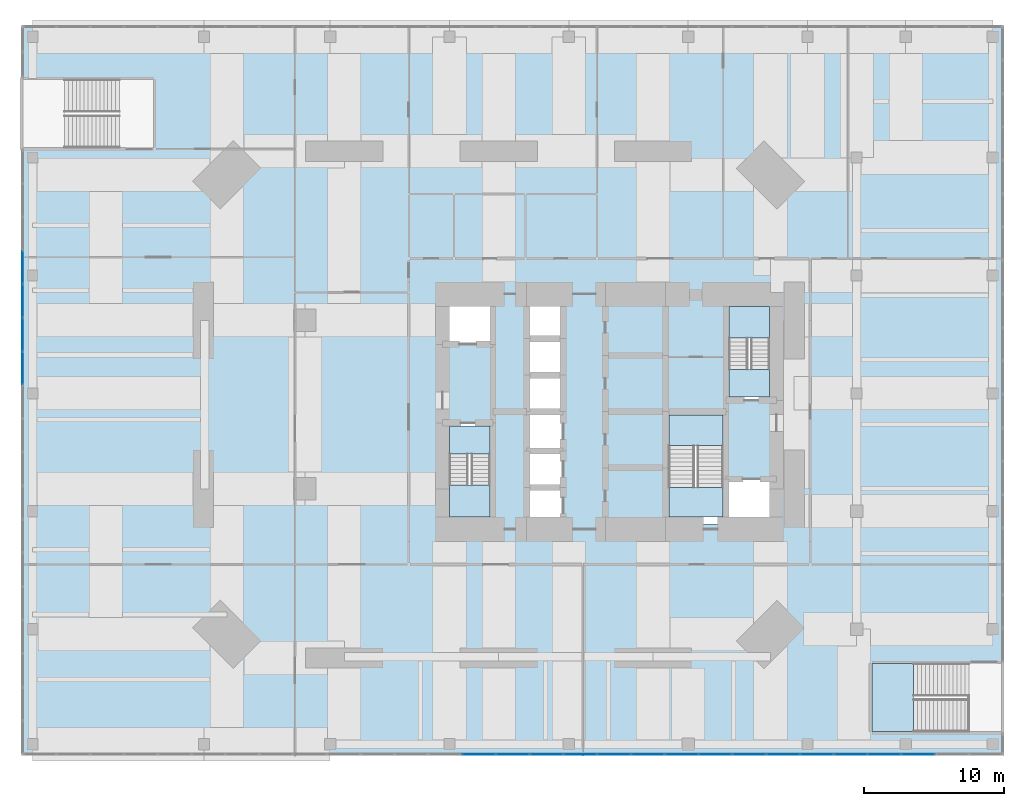
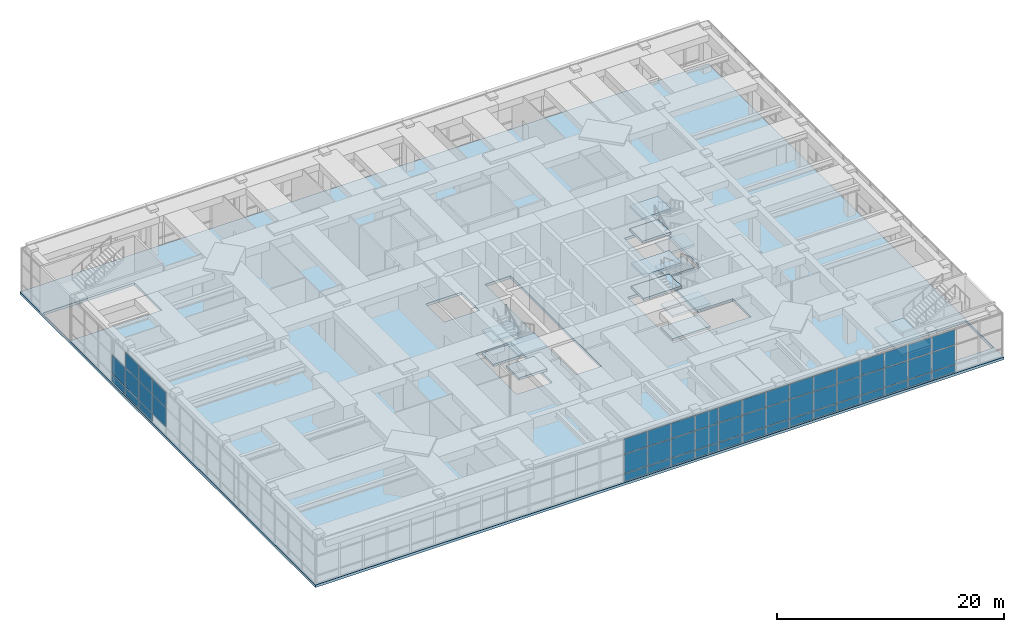
# One storey, part 15 of 24: 52 plates, 14 slabs, 6 elements without a shape of their own.
"""IFC4 building model written with IfcOpenShell, lengths in metres."""

from ifc_helpers import new_model, si_unit, direction, frame, origin, origin_2d, place, context, subcontext, project, spatial, polyline, rectangle, outline, extrude, material, layer, layer_set, type_object, element, aggregate, save


model = new_model("IFC4")

# Units and contexts
model_context = context("Model", 3, precision=1e-05, world=origin(), true_north=direction((0.0, 1.0)))
body_context = subcontext(model_context, "Body", "Model", "MODEL_VIEW")
ifc_project = project(units=[si_unit("LENGTHUNIT", "METRE"), si_unit("AREAUNIT", "SQUARE_METRE"), si_unit("VOLUMEUNIT", "CUBIC_METRE"), si_unit("PLANEANGLEUNIT", "RADIAN"), si_unit("MASSUNIT", "GRAM", prefix="KILO")], contexts=[model_context])

# Site, building, storey
site_placement = place(None, origin())
site = spatial("IfcSite", under=ifc_project, at=site_placement, CompositionType="ELEMENT")
building_placement = place(site_placement, origin())
building = spatial("IfcBuilding", under=site, at=building_placement, Name="Jalousie Tower", CompositionType="ELEMENT")
storey_placement = place(building_placement, frame((0.0, 0.0, 11.0)))
storey = spatial("IfcBuildingStorey", under=building, at=storey_placement, Name="L02", CompositionType="ELEMENT", Elevation=11.0)

# Slab
ifc_material_1 = material(Name="Concrete f'c 40 MPa", Category="concrete")
ifc_layer_1 = layer(ifc_material_1, 0.280029296875)
ifc_layer_set_1 = layer_set([ifc_layer_1], Name="Concrete f'c 40 MPa")
slab_type_1 = type_object("IfcSlabType", Name="FLOOR SLAB 280", PredefinedType="FLOOR", material=ifc_layer_set_1)
slab_1_placement = place(storey_placement, frame((0.0, 0.0, -0.280029296875)))
element("IfcSlab", 1, at=slab_1_placement, inside=storey, type_object=slab_type_1, Name="L02 floor slab", PredefinedType="FLOOR", context=body_context, shape_type="SweptSolid", body=[
    extrude(outline(polyline([(-10.0, -6.0), (60.0, -6.0), (60.0, 46.0), (-10.0, 46.0), (-10.0, -6.0)]), holes=[polyline([(26.0, 10.5), (26.0, 26.5), (28.60009765625, 26.5), (28.60009765625, 10.5), (26.0, 10.5)]), polyline([(20.0, 10.5), (23.60009765625, 10.5), (23.60009765625, 17.699951171875), (20.0, 17.699951171875), (20.0, 10.5)]), polyline([(20.0, 23.300048828125), (23.60009765625, 23.300048828125), (23.60009765625, 26.5), (20.0, 26.5), (20.0, 23.300048828125)]), polyline([(-9.89990234375, 37.300048828125), (-0.60009765625, 37.300048828125), (-0.60009765625, 42.14990234375), (-9.89990234375, 42.14990234375), (-9.89990234375, 37.300048828125)]), polyline([(50.60009765625, -4.300048828125), (59.89990234375, -4.300048828125), (59.89990234375, 0.550048828125), (50.60009765625, 0.550048828125), (50.60009765625, -4.300048828125)]), polyline([(43.800048828125, 10.5), (35.89990234375, 10.5), (35.89990234375, 18.5), (40.199951171875, 18.5), (40.199951171875, 13.699951171875), (43.800048828125, 13.699951171875), (43.800048828125, 10.5)]), polyline([(40.199951171875, 19.300048828125), (43.800048828125, 19.300048828125), (43.800048828125, 26.5), (40.199951171875, 26.5), (40.199951171875, 19.300048828125)])]), origin(), (0.0, 0.0, 1.0), 0.280029296875),
])

# Curtain wall, plates
ifc_material_2 = material(Name="Aluminium curtain wall", Category="aluminium")
curtain_wall_type = type_object("IfcCurtainWallType", Name="PODIUM WINDOW WALL", PredefinedType="USERDEFINED", material=ifc_material_2)
curtain_wall_1_placement = place(storey_placement, origin())
curtain_wall_1 = element("IfcCurtainWall", 2, at=curtain_wall_1_placement, inside=storey, type_object=curtain_wall_type, Name="Podium Window Wall L02 1", ObjectType="PODIUM WINDOW WALL", PredefinedType="USERDEFINED")
ifc_material_3 = material(Name="Laminated impact-rated glass", Category="glass")
ifc_layer_2 = layer(ifc_material_3, 0.030029296875)
ifc_layer_set_2 = layer_set([ifc_layer_2], Name="Laminated impact-rated glass")
plate_type = type_object("IfcPlateType", Name="PODIUM WINDOW WALL PANEL", PredefinedType="CURTAIN_PANEL", material=ifc_layer_set_2)
plate_1_placement = place(storey_placement, frame((22.59228515625, -5.91259765625, 0.070068359375), z_axis=(0.0, 0.0, 1.0), x_axis=(1.0, 0.0, 0.0)))
plate_1 = element("IfcPlate", 3, at=plate_1_placement, type_object=plate_type, Name="CW-P panel 14.1", PredefinedType="CURTAIN_PANEL", context=body_context, shape_type="SweptSolid", body=[
    extrude(rectangle(XDim=2.337646484375, YDim=0.030029296875, at=origin_2d()), origin(), (0.0, 0.0, 1.0), 0.794921875),
])
plate_2_placement = place(storey_placement, frame((22.59228515625, -5.91259765625, 0.93505859375), z_axis=(0.0, 0.0, 1.0), x_axis=(1.0, 0.0, 0.0)))
plate_2 = element("IfcPlate", 4, at=plate_2_placement, type_object=plate_type, Name="CW-P panel 14.2", PredefinedType="CURTAIN_PANEL", context=body_context, shape_type="SweptSolid", body=[
    extrude(rectangle(XDim=2.337646484375, YDim=0.030029296875, at=origin_2d()), origin(), (0.0, 0.0, 1.0), 2.030029296875),
])
plate_3_placement = place(storey_placement, frame((22.59228515625, -5.91259765625, 3.03515625), z_axis=(0.0, 0.0, 1.0), x_axis=(1.0, 0.0, 0.0)))
plate_3 = element("IfcPlate", 5, at=plate_3_placement, type_object=plate_type, Name="CW-P panel 14.3", PredefinedType="CURTAIN_PANEL", context=body_context, shape_type="SweptSolid", body=[
    extrude(rectangle(XDim=2.337646484375, YDim=0.030029296875, at=origin_2d()), origin(), (0.0, 0.0, 1.0), 1.614990234375),
])
plate_4_placement = place(storey_placement, frame((25.0, -5.91259765625, 0.070068359375), z_axis=(0.0, 0.0, 1.0), x_axis=(1.0, 0.0, 0.0)))
plate_4 = element("IfcPlate", 6, at=plate_4_placement, type_object=plate_type, Name="CW-P panel 15.1", PredefinedType="CURTAIN_PANEL", context=body_context, shape_type="SweptSolid", body=[
    extrude(rectangle(XDim=2.337646484375, YDim=0.030029296875, at=origin_2d()), origin(), (0.0, 0.0, 1.0), 0.794921875),
])
plate_5_placement = place(storey_placement, frame((25.0, -5.91259765625, 0.93505859375), z_axis=(0.0, 0.0, 1.0), x_axis=(1.0, 0.0, 0.0)))
plate_5 = element("IfcPlate", 7, at=plate_5_placement, type_object=plate_type, Name="CW-P panel 15.2", PredefinedType="CURTAIN_PANEL", context=body_context, shape_type="SweptSolid", body=[
    extrude(rectangle(XDim=2.337646484375, YDim=0.030029296875, at=origin_2d()), origin(), (0.0, 0.0, 1.0), 2.030029296875),
])
plate_6_placement = place(storey_placement, frame((25.0, -5.91259765625, 3.03515625), z_axis=(0.0, 0.0, 1.0), x_axis=(1.0, 0.0, 0.0)))
plate_6 = element("IfcPlate", 8, at=plate_6_placement, type_object=plate_type, Name="CW-P panel 15.3", PredefinedType="CURTAIN_PANEL", context=body_context, shape_type="SweptSolid", body=[
    extrude(rectangle(XDim=2.337646484375, YDim=0.030029296875, at=origin_2d()), origin(), (0.0, 0.0, 1.0), 1.614990234375),
])
plate_7_placement = place(storey_placement, frame((27.40771484375, -5.91259765625, 0.070068359375), z_axis=(0.0, 0.0, 1.0), x_axis=(1.0, 0.0, 0.0)))
plate_7 = element("IfcPlate", 9, at=plate_7_placement, type_object=plate_type, Name="CW-P panel 16.1", PredefinedType="CURTAIN_PANEL", context=body_context, shape_type="SweptSolid", body=[
    extrude(rectangle(XDim=2.337646484375, YDim=0.030029296875, at=origin_2d()), origin(), (0.0, 0.0, 1.0), 0.794921875),
])
plate_8_placement = place(storey_placement, frame((27.40771484375, -5.91259765625, 0.93505859375), z_axis=(0.0, 0.0, 1.0), x_axis=(1.0, 0.0, 0.0)))
plate_8 = element("IfcPlate", 10, at=plate_8_placement, type_object=plate_type, Name="CW-P panel 16.2", PredefinedType="CURTAIN_PANEL", context=body_context, shape_type="SweptSolid", body=[
    extrude(rectangle(XDim=2.337646484375, YDim=0.030029296875, at=origin_2d()), origin(), (0.0, 0.0, 1.0), 2.030029296875),
])
plate_9_placement = place(storey_placement, frame((27.40771484375, -5.91259765625, 3.03515625), z_axis=(0.0, 0.0, 1.0), x_axis=(1.0, 0.0, 0.0)))
plate_9 = element("IfcPlate", 11, at=plate_9_placement, type_object=plate_type, Name="CW-P panel 16.3", PredefinedType="CURTAIN_PANEL", context=body_context, shape_type="SweptSolid", body=[
    extrude(rectangle(XDim=2.337646484375, YDim=0.030029296875, at=origin_2d()), origin(), (0.0, 0.0, 1.0), 1.614990234375),
])
plate_10_placement = place(storey_placement, frame((29.8154296875, -5.91259765625, 0.070068359375), z_axis=(0.0, 0.0, 1.0), x_axis=(1.0, 0.0, 0.0)))
plate_10 = element("IfcPlate", 12, at=plate_10_placement, type_object=plate_type, Name="CW-P panel 17.1", PredefinedType="CURTAIN_PANEL", context=body_context, shape_type="SweptSolid", body=[
    extrude(rectangle(XDim=2.337646484375, YDim=0.030029296875, at=origin_2d()), origin(), (0.0, 0.0, 1.0), 0.794921875),
])
plate_11_placement = place(storey_placement, frame((29.8154296875, -5.91259765625, 0.93505859375), z_axis=(0.0, 0.0, 1.0), x_axis=(1.0, 0.0, 0.0)))
plate_11 = element("IfcPlate", 13, at=plate_11_placement, type_object=plate_type, Name="CW-P panel 17.2", PredefinedType="CURTAIN_PANEL", context=body_context, shape_type="SweptSolid", body=[
    extrude(rectangle(XDim=2.337646484375, YDim=0.030029296875, at=origin_2d()), origin(), (0.0, 0.0, 1.0), 2.030029296875),
])
plate_12_placement = place(storey_placement, frame((29.8154296875, -5.91259765625, 3.03515625), z_axis=(0.0, 0.0, 1.0), x_axis=(1.0, 0.0, 0.0)))
plate_12 = element("IfcPlate", 14, at=plate_12_placement, type_object=plate_type, Name="CW-P panel 17.3", PredefinedType="CURTAIN_PANEL", context=body_context, shape_type="SweptSolid", body=[
    extrude(rectangle(XDim=2.337646484375, YDim=0.030029296875, at=origin_2d()), origin(), (0.0, 0.0, 1.0), 1.614990234375),
])
plate_13_placement = place(storey_placement, frame((32.223388671875, -5.91259765625, 0.070068359375), z_axis=(0.0, 0.0, 1.0), x_axis=(1.0, 0.0, 0.0)))
plate_13 = element("IfcPlate", 15, at=plate_13_placement, type_object=plate_type, Name="CW-P panel 18.1", PredefinedType="CURTAIN_PANEL", context=body_context, shape_type="SweptSolid", body=[
    extrude(rectangle(XDim=2.337646484375, YDim=0.030029296875, at=origin_2d()), origin(), (0.0, 0.0, 1.0), 0.794921875),
])
plate_14_placement = place(storey_placement, frame((32.223388671875, -5.91259765625, 0.93505859375), z_axis=(0.0, 0.0, 1.0), x_axis=(1.0, 0.0, 0.0)))
plate_14 = element("IfcPlate", 16, at=plate_14_placement, type_object=plate_type, Name="CW-P panel 18.2", PredefinedType="CURTAIN_PANEL", context=body_context, shape_type="SweptSolid", body=[
    extrude(rectangle(XDim=2.337646484375, YDim=0.030029296875, at=origin_2d()), origin(), (0.0, 0.0, 1.0), 2.030029296875),
])
plate_15_placement = place(storey_placement, frame((32.223388671875, -5.91259765625, 3.03515625), z_axis=(0.0, 0.0, 1.0), x_axis=(1.0, 0.0, 0.0)))
plate_15 = element("IfcPlate", 17, at=plate_15_placement, type_object=plate_type, Name="CW-P panel 18.3", PredefinedType="CURTAIN_PANEL", context=body_context, shape_type="SweptSolid", body=[
    extrude(rectangle(XDim=2.337646484375, YDim=0.030029296875, at=origin_2d()), origin(), (0.0, 0.0, 1.0), 1.614990234375),
])
plate_16_placement = place(storey_placement, frame((34.631103515625, -5.91259765625, 0.070068359375), z_axis=(0.0, 0.0, 1.0), x_axis=(1.0, 0.0, 0.0)))
plate_16 = element("IfcPlate", 18, at=plate_16_placement, type_object=plate_type, Name="CW-P panel 19.1", PredefinedType="CURTAIN_PANEL", context=body_context, shape_type="SweptSolid", body=[
    extrude(rectangle(XDim=2.337646484375, YDim=0.030029296875, at=origin_2d()), origin(), (0.0, 0.0, 1.0), 0.794921875),
])
plate_17_placement = place(storey_placement, frame((34.631103515625, -5.91259765625, 0.93505859375), z_axis=(0.0, 0.0, 1.0), x_axis=(1.0, 0.0, 0.0)))
plate_17 = element("IfcPlate", 19, at=plate_17_placement, type_object=plate_type, Name="CW-P panel 19.2", PredefinedType="CURTAIN_PANEL", context=body_context, shape_type="SweptSolid", body=[
    extrude(rectangle(XDim=2.337646484375, YDim=0.030029296875, at=origin_2d()), origin(), (0.0, 0.0, 1.0), 2.030029296875),
])
plate_18_placement = place(storey_placement, frame((34.631103515625, -5.91259765625, 3.03515625), z_axis=(0.0, 0.0, 1.0), x_axis=(1.0, 0.0, 0.0)))
plate_18 = element("IfcPlate", 20, at=plate_18_placement, type_object=plate_type, Name="CW-P panel 19.3", PredefinedType="CURTAIN_PANEL", context=body_context, shape_type="SweptSolid", body=[
    extrude(rectangle(XDim=2.337646484375, YDim=0.030029296875, at=origin_2d()), origin(), (0.0, 0.0, 1.0), 1.614990234375),
])
plate_19_placement = place(storey_placement, frame((37.038818359375, -5.91259765625, 0.070068359375), z_axis=(0.0, 0.0, 1.0), x_axis=(1.0, 0.0, 0.0)))
plate_19 = element("IfcPlate", 21, at=plate_19_placement, type_object=plate_type, Name="CW-P panel 20.1", PredefinedType="CURTAIN_PANEL", context=body_context, shape_type="SweptSolid", body=[
    extrude(rectangle(XDim=2.337646484375, YDim=0.030029296875, at=origin_2d()), origin(), (0.0, 0.0, 1.0), 0.794921875),
])
plate_20_placement = place(storey_placement, frame((37.038818359375, -5.91259765625, 0.93505859375), z_axis=(0.0, 0.0, 1.0), x_axis=(1.0, 0.0, 0.0)))
plate_20 = element("IfcPlate", 22, at=plate_20_placement, type_object=plate_type, Name="CW-P panel 20.2", PredefinedType="CURTAIN_PANEL", context=body_context, shape_type="SweptSolid", body=[
    extrude(rectangle(XDim=2.337646484375, YDim=0.030029296875, at=origin_2d()), origin(), (0.0, 0.0, 1.0), 2.030029296875),
])
plate_21_placement = place(storey_placement, frame((37.038818359375, -5.91259765625, 3.03515625), z_axis=(0.0, 0.0, 1.0), x_axis=(1.0, 0.0, 0.0)))
plate_21 = element("IfcPlate", 23, at=plate_21_placement, type_object=plate_type, Name="CW-P panel 20.3", PredefinedType="CURTAIN_PANEL", context=body_context, shape_type="SweptSolid", body=[
    extrude(rectangle(XDim=2.337646484375, YDim=0.030029296875, at=origin_2d()), origin(), (0.0, 0.0, 1.0), 1.614990234375),
])
plate_22_placement = place(storey_placement, frame((39.446533203125, -5.91259765625, 0.070068359375), z_axis=(0.0, 0.0, 1.0), x_axis=(1.0, 0.0, 0.0)))
plate_22 = element("IfcPlate", 24, at=plate_22_placement, type_object=plate_type, Name="CW-P panel 21.1", PredefinedType="CURTAIN_PANEL", context=body_context, shape_type="SweptSolid", body=[
    extrude(rectangle(XDim=2.337646484375, YDim=0.030029296875, at=origin_2d()), origin(), (0.0, 0.0, 1.0), 0.794921875),
])
plate_23_placement = place(storey_placement, frame((39.446533203125, -5.91259765625, 0.93505859375), z_axis=(0.0, 0.0, 1.0), x_axis=(1.0, 0.0, 0.0)))
plate_23 = element("IfcPlate", 25, at=plate_23_placement, type_object=plate_type, Name="CW-P panel 21.2", PredefinedType="CURTAIN_PANEL", context=body_context, shape_type="SweptSolid", body=[
    extrude(rectangle(XDim=2.337646484375, YDim=0.030029296875, at=origin_2d()), origin(), (0.0, 0.0, 1.0), 2.030029296875),
])
plate_24_placement = place(storey_placement, frame((39.446533203125, -5.91259765625, 3.03515625), z_axis=(0.0, 0.0, 1.0), x_axis=(1.0, 0.0, 0.0)))
plate_24 = element("IfcPlate", 26, at=plate_24_placement, type_object=plate_type, Name="CW-P panel 21.3", PredefinedType="CURTAIN_PANEL", context=body_context, shape_type="SweptSolid", body=[
    extrude(rectangle(XDim=2.337646484375, YDim=0.030029296875, at=origin_2d()), origin(), (0.0, 0.0, 1.0), 1.614990234375),
])
plate_25_placement = place(storey_placement, frame((41.854248046875, -5.91259765625, 0.070068359375), z_axis=(0.0, 0.0, 1.0), x_axis=(1.0, 0.0, 0.0)))
plate_25 = element("IfcPlate", 27, at=plate_25_placement, type_object=plate_type, Name="CW-P panel 22.1", PredefinedType="CURTAIN_PANEL", context=body_context, shape_type="SweptSolid", body=[
    extrude(rectangle(XDim=2.337646484375, YDim=0.030029296875, at=origin_2d()), origin(), (0.0, 0.0, 1.0), 0.794921875),
])
plate_26_placement = place(storey_placement, frame((41.854248046875, -5.91259765625, 0.93505859375), z_axis=(0.0, 0.0, 1.0), x_axis=(1.0, 0.0, 0.0)))
plate_26 = element("IfcPlate", 28, at=plate_26_placement, type_object=plate_type, Name="CW-P panel 22.2", PredefinedType="CURTAIN_PANEL", context=body_context, shape_type="SweptSolid", body=[
    extrude(rectangle(XDim=2.337646484375, YDim=0.030029296875, at=origin_2d()), origin(), (0.0, 0.0, 1.0), 2.030029296875),
])
plate_27_placement = place(storey_placement, frame((41.854248046875, -5.91259765625, 3.03515625), z_axis=(0.0, 0.0, 1.0), x_axis=(1.0, 0.0, 0.0)))
plate_27 = element("IfcPlate", 29, at=plate_27_placement, type_object=plate_type, Name="CW-P panel 22.3", PredefinedType="CURTAIN_PANEL", context=body_context, shape_type="SweptSolid", body=[
    extrude(rectangle(XDim=2.337646484375, YDim=0.030029296875, at=origin_2d()), origin(), (0.0, 0.0, 1.0), 1.614990234375),
])
plate_28_placement = place(storey_placement, frame((44.261962890625, -5.91259765625, 0.070068359375), z_axis=(0.0, 0.0, 1.0), x_axis=(1.0, 0.0, 0.0)))
plate_28 = element("IfcPlate", 30, at=plate_28_placement, type_object=plate_type, Name="CW-P panel 23.1", PredefinedType="CURTAIN_PANEL", context=body_context, shape_type="SweptSolid", body=[
    extrude(rectangle(XDim=2.337646484375, YDim=0.030029296875, at=origin_2d()), origin(), (0.0, 0.0, 1.0), 0.794921875),
])
plate_29_placement = place(storey_placement, frame((44.261962890625, -5.91259765625, 0.93505859375), z_axis=(0.0, 0.0, 1.0), x_axis=(1.0, 0.0, 0.0)))
plate_29 = element("IfcPlate", 31, at=plate_29_placement, type_object=plate_type, Name="CW-P panel 23.2", PredefinedType="CURTAIN_PANEL", context=body_context, shape_type="SweptSolid", body=[
    extrude(rectangle(XDim=2.337646484375, YDim=0.030029296875, at=origin_2d()), origin(), (0.0, 0.0, 1.0), 2.030029296875),
])
plate_30_placement = place(storey_placement, frame((44.261962890625, -5.91259765625, 3.03515625), z_axis=(0.0, 0.0, 1.0), x_axis=(1.0, 0.0, 0.0)))
plate_30 = element("IfcPlate", 32, at=plate_30_placement, type_object=plate_type, Name="CW-P panel 23.3", PredefinedType="CURTAIN_PANEL", context=body_context, shape_type="SweptSolid", body=[
    extrude(rectangle(XDim=2.337646484375, YDim=0.030029296875, at=origin_2d()), origin(), (0.0, 0.0, 1.0), 1.614990234375),
])
plate_31_placement = place(storey_placement, frame((46.669921875, -5.91259765625, 0.070068359375), z_axis=(0.0, 0.0, 1.0), x_axis=(1.0, 0.0, 0.0)))
plate_31 = element("IfcPlate", 33, at=plate_31_placement, type_object=plate_type, Name="CW-P panel 24.1", PredefinedType="CURTAIN_PANEL", context=body_context, shape_type="SweptSolid", body=[
    extrude(rectangle(XDim=2.337646484375, YDim=0.030029296875, at=origin_2d()), origin(), (0.0, 0.0, 1.0), 0.794921875),
])
plate_32_placement = place(storey_placement, frame((46.669921875, -5.91259765625, 0.93505859375), z_axis=(0.0, 0.0, 1.0), x_axis=(1.0, 0.0, 0.0)))
plate_32 = element("IfcPlate", 34, at=plate_32_placement, type_object=plate_type, Name="CW-P panel 24.2", PredefinedType="CURTAIN_PANEL", context=body_context, shape_type="SweptSolid", body=[
    extrude(rectangle(XDim=2.337646484375, YDim=0.030029296875, at=origin_2d()), origin(), (0.0, 0.0, 1.0), 2.030029296875),
])
plate_33_placement = place(storey_placement, frame((46.669921875, -5.91259765625, 3.03515625), z_axis=(0.0, 0.0, 1.0), x_axis=(1.0, 0.0, 0.0)))
plate_33 = element("IfcPlate", 35, at=plate_33_placement, type_object=plate_type, Name="CW-P panel 24.3", PredefinedType="CURTAIN_PANEL", context=body_context, shape_type="SweptSolid", body=[
    extrude(rectangle(XDim=2.337646484375, YDim=0.030029296875, at=origin_2d()), origin(), (0.0, 0.0, 1.0), 1.614990234375),
])
plate_34_placement = place(storey_placement, frame((49.07763671875, -5.91259765625, 0.070068359375), z_axis=(0.0, 0.0, 1.0), x_axis=(1.0, 0.0, 0.0)))
plate_34 = element("IfcPlate", 36, at=plate_34_placement, type_object=plate_type, Name="CW-P panel 25.1", PredefinedType="CURTAIN_PANEL", context=body_context, shape_type="SweptSolid", body=[
    extrude(rectangle(XDim=2.337646484375, YDim=0.030029296875, at=origin_2d()), origin(), (0.0, 0.0, 1.0), 0.794921875),
])
plate_35_placement = place(storey_placement, frame((49.07763671875, -5.91259765625, 0.93505859375), z_axis=(0.0, 0.0, 1.0), x_axis=(1.0, 0.0, 0.0)))
plate_35 = element("IfcPlate", 37, at=plate_35_placement, type_object=plate_type, Name="CW-P panel 25.2", PredefinedType="CURTAIN_PANEL", context=body_context, shape_type="SweptSolid", body=[
    extrude(rectangle(XDim=2.337646484375, YDim=0.030029296875, at=origin_2d()), origin(), (0.0, 0.0, 1.0), 2.030029296875),
])
plate_36_placement = place(storey_placement, frame((49.07763671875, -5.91259765625, 3.03515625), z_axis=(0.0, 0.0, 1.0), x_axis=(1.0, 0.0, 0.0)))
plate_36 = element("IfcPlate", 38, at=plate_36_placement, type_object=plate_type, Name="CW-P panel 25.3", PredefinedType="CURTAIN_PANEL", context=body_context, shape_type="SweptSolid", body=[
    extrude(rectangle(XDim=2.337646484375, YDim=0.030029296875, at=origin_2d()), origin(), (0.0, 0.0, 1.0), 1.614990234375),
])
plate_37_placement = place(storey_placement, frame((51.4853515625, -5.91259765625, 0.070068359375), z_axis=(0.0, 0.0, 1.0), x_axis=(1.0, 0.0, 0.0)))
plate_37 = element("IfcPlate", 39, at=plate_37_placement, type_object=plate_type, Name="CW-P panel 26.1", PredefinedType="CURTAIN_PANEL", context=body_context, shape_type="SweptSolid", body=[
    extrude(rectangle(XDim=2.337646484375, YDim=0.030029296875, at=origin_2d()), origin(), (0.0, 0.0, 1.0), 0.794921875),
])
plate_38_placement = place(storey_placement, frame((51.4853515625, -5.91259765625, 0.93505859375), z_axis=(0.0, 0.0, 1.0), x_axis=(1.0, 0.0, 0.0)))
plate_38 = element("IfcPlate", 40, at=plate_38_placement, type_object=plate_type, Name="CW-P panel 26.2", PredefinedType="CURTAIN_PANEL", context=body_context, shape_type="SweptSolid", body=[
    extrude(rectangle(XDim=2.337646484375, YDim=0.030029296875, at=origin_2d()), origin(), (0.0, 0.0, 1.0), 2.030029296875),
])
plate_39_placement = place(storey_placement, frame((51.4853515625, -5.91259765625, 3.03515625), z_axis=(0.0, 0.0, 1.0), x_axis=(1.0, 0.0, 0.0)))
plate_39 = element("IfcPlate", 41, at=plate_39_placement, type_object=plate_type, Name="CW-P panel 26.3", PredefinedType="CURTAIN_PANEL", context=body_context, shape_type="SweptSolid", body=[
    extrude(rectangle(XDim=2.337646484375, YDim=0.030029296875, at=origin_2d()), origin(), (0.0, 0.0, 1.0), 1.614990234375),
])
plate_40_placement = place(storey_placement, frame((53.89306640625, -5.91259765625, 0.070068359375), z_axis=(0.0, 0.0, 1.0), x_axis=(1.0, 0.0, 0.0)))
plate_40 = element("IfcPlate", 42, at=plate_40_placement, type_object=plate_type, Name="CW-P panel 27.1", PredefinedType="CURTAIN_PANEL", context=body_context, shape_type="SweptSolid", body=[
    extrude(rectangle(XDim=2.337646484375, YDim=0.030029296875, at=origin_2d()), origin(), (0.0, 0.0, 1.0), 0.794921875),
])
plate_41_placement = place(storey_placement, frame((53.89306640625, -5.91259765625, 0.93505859375), z_axis=(0.0, 0.0, 1.0), x_axis=(1.0, 0.0, 0.0)))
plate_41 = element("IfcPlate", 43, at=plate_41_placement, type_object=plate_type, Name="CW-P panel 27.2", PredefinedType="CURTAIN_PANEL", context=body_context, shape_type="SweptSolid", body=[
    extrude(rectangle(XDim=2.337646484375, YDim=0.030029296875, at=origin_2d()), origin(), (0.0, 0.0, 1.0), 2.030029296875),
])
plate_42_placement = place(storey_placement, frame((53.89306640625, -5.91259765625, 3.03515625), z_axis=(0.0, 0.0, 1.0), x_axis=(1.0, 0.0, 0.0)))
plate_42 = element("IfcPlate", 44, at=plate_42_placement, type_object=plate_type, Name="CW-P panel 27.3", PredefinedType="CURTAIN_PANEL", context=body_context, shape_type="SweptSolid", body=[
    extrude(rectangle(XDim=2.337646484375, YDim=0.030029296875, at=origin_2d()), origin(), (0.0, 0.0, 1.0), 1.614990234375),
])
aggregate(curtain_wall_1, [plate_1, plate_2, plate_3, plate_4, plate_5, plate_6, plate_7, plate_8, plate_9, plate_10, plate_11, plate_12, plate_13, plate_14, plate_15, plate_16, plate_17, plate_18, plate_19, plate_20, plate_21, plate_22, plate_23, plate_24, plate_25, plate_26, plate_27, plate_28, plate_29, plate_30, plate_31, plate_32, plate_33, plate_34, plate_35, plate_36, plate_37, plate_38, plate_39, plate_40, plate_41, plate_42])

curtain_wall_2_placement = place(storey_placement, origin())
curtain_wall_2 = element("IfcCurtainWall", 45, at=curtain_wall_2_placement, inside=storey, type_object=curtain_wall_type, Name="Podium Window Wall L02 33", ObjectType="PODIUM WINDOW WALL", PredefinedType="USERDEFINED")
plate_43_placement = place(storey_placement, frame((-9.91259765625, 28.77685546875, 0.070068359375), z_axis=(0.0, 0.0, 1.0), x_axis=(0.0, -1.0, 0.0)))
plate_43 = element("IfcPlate", 46, at=plate_43_placement, type_object=plate_type, Name="CW-P panel 4.1", PredefinedType="CURTAIN_PANEL", context=body_context, shape_type="SweptSolid", body=[
    extrude(rectangle(XDim=2.322265625, YDim=0.030029296875, at=origin_2d()), origin(), (0.0, 0.0, 1.0), 0.794921875),
])
plate_44_placement = place(storey_placement, frame((-9.91259765625, 28.77685546875, 0.93505859375), z_axis=(0.0, 0.0, 1.0), x_axis=(0.0, -1.0, 0.0)))
plate_44 = element("IfcPlate", 47, at=plate_44_placement, type_object=plate_type, Name="CW-P panel 4.2", PredefinedType="CURTAIN_PANEL", context=body_context, shape_type="SweptSolid", body=[
    extrude(rectangle(XDim=2.322265625, YDim=0.030029296875, at=origin_2d()), origin(), (0.0, 0.0, 1.0), 2.030029296875),
])
plate_45_placement = place(storey_placement, frame((-9.91259765625, 26.38427734375, 0.070068359375), z_axis=(0.0, 0.0, 1.0), x_axis=(0.0, -1.0, 0.0)))
plate_45 = element("IfcPlate", 48, at=plate_45_placement, type_object=plate_type, Name="CW-P panel 5.1", PredefinedType="CURTAIN_PANEL", context=body_context, shape_type="SweptSolid", body=[
    extrude(rectangle(XDim=2.322265625, YDim=0.030029296875, at=origin_2d()), origin(), (0.0, 0.0, 1.0), 0.794921875),
])
plate_46_placement = place(storey_placement, frame((-9.91259765625, 26.38427734375, 0.93505859375), z_axis=(0.0, 0.0, 1.0), x_axis=(0.0, -1.0, 0.0)))
plate_46 = element("IfcPlate", 49, at=plate_46_placement, type_object=plate_type, Name="CW-P panel 5.2", PredefinedType="CURTAIN_PANEL", context=body_context, shape_type="SweptSolid", body=[
    extrude(rectangle(XDim=2.322265625, YDim=0.030029296875, at=origin_2d()), origin(), (0.0, 0.0, 1.0), 2.030029296875),
])
plate_47_placement = place(storey_placement, frame((-9.91259765625, 26.38427734375, 3.03515625), z_axis=(0.0, 0.0, 1.0), x_axis=(0.0, -1.0, 0.0)))
plate_47 = element("IfcPlate", 50, at=plate_47_placement, type_object=plate_type, Name="CW-P panel 5.3", PredefinedType="CURTAIN_PANEL", context=body_context, shape_type="SweptSolid", body=[
    extrude(rectangle(XDim=2.322265625, YDim=0.030029296875, at=origin_2d()), origin(), (0.0, 0.0, 1.0), 1.614990234375),
])
plate_48_placement = place(storey_placement, frame((-9.91259765625, 23.991943359375, 0.070068359375), z_axis=(0.0, 0.0, 1.0), x_axis=(0.0, -1.0, 0.0)))
plate_48 = element("IfcPlate", 51, at=plate_48_placement, type_object=plate_type, Name="CW-P panel 6.1", PredefinedType="CURTAIN_PANEL", context=body_context, shape_type="SweptSolid", body=[
    extrude(rectangle(XDim=2.322265625, YDim=0.030029296875, at=origin_2d()), origin(), (0.0, 0.0, 1.0), 0.794921875),
])
plate_49_placement = place(storey_placement, frame((-9.91259765625, 23.991943359375, 0.93505859375), z_axis=(0.0, 0.0, 1.0), x_axis=(0.0, -1.0, 0.0)))
plate_49 = element("IfcPlate", 52, at=plate_49_placement, type_object=plate_type, Name="CW-P panel 6.2", PredefinedType="CURTAIN_PANEL", context=body_context, shape_type="SweptSolid", body=[
    extrude(rectangle(XDim=2.322265625, YDim=0.030029296875, at=origin_2d()), origin(), (0.0, 0.0, 1.0), 2.030029296875),
])
plate_50_placement = place(storey_placement, frame((-9.91259765625, 23.991943359375, 3.03515625), z_axis=(0.0, 0.0, 1.0), x_axis=(0.0, -1.0, 0.0)))
plate_50 = element("IfcPlate", 53, at=plate_50_placement, type_object=plate_type, Name="CW-P panel 6.3", PredefinedType="CURTAIN_PANEL", context=body_context, shape_type="SweptSolid", body=[
    extrude(rectangle(XDim=2.322265625, YDim=0.030029296875, at=origin_2d()), origin(), (0.0, 0.0, 1.0), 1.614990234375),
])
plate_51_placement = place(storey_placement, frame((-9.91259765625, 21.599609375, 0.93505859375), z_axis=(0.0, 0.0, 1.0), x_axis=(0.0, -1.0, 0.0)))
plate_51 = element("IfcPlate", 54, at=plate_51_placement, type_object=plate_type, Name="CW-P panel 7.2", PredefinedType="CURTAIN_PANEL", context=body_context, shape_type="SweptSolid", body=[
    extrude(rectangle(XDim=2.322265625, YDim=0.030029296875, at=origin_2d()), origin(), (0.0, 0.0, 1.0), 2.030029296875),
])
plate_52_placement = place(storey_placement, frame((-9.91259765625, 21.599609375, 3.03515625), z_axis=(0.0, 0.0, 1.0), x_axis=(0.0, -1.0, 0.0)))
plate_52 = element("IfcPlate", 55, at=plate_52_placement, type_object=plate_type, Name="CW-P panel 7.3", PredefinedType="CURTAIN_PANEL", context=body_context, shape_type="SweptSolid", body=[
    extrude(rectangle(XDim=2.322265625, YDim=0.030029296875, at=origin_2d()), origin(), (0.0, 0.0, 1.0), 1.614990234375),
])
aggregate(curtain_wall_2, [plate_43, plate_44, plate_45, plate_46, plate_47, plate_48, plate_49, plate_50, plate_51, plate_52])

# Stair, slabs
ifc_material_4 = material(Name="Concrete f'c 40 MPa", Category="concrete")
stair_type_1 = type_object("IfcStairType", Name="EXIT STAIR", PredefinedType="HALF_TURN_STAIR", material=ifc_material_4)
stair_1_placement = place(storey_placement, origin())
stair_1 = element("IfcStair", 56, at=stair_1_placement, inside=storey, type_object=stair_type_1, Name="Exit stair A L02", PredefinedType="HALF_TURN_STAIR")
ifc_material_5 = material(Name="Concrete f'c 40 MPa", Category="concrete")
ifc_layer_3 = layer(ifc_material_5, 0.25)
ifc_layer_set_3 = layer_set([ifc_layer_3], Name="Concrete f'c 40 MPa")
slab_type_2 = type_object("IfcSlabType", Name="STAIR LANDING 250", PredefinedType="LANDING", material=ifc_layer_set_3)
slab_2_placement = place(storey_placement, frame((0.0, 0.0, -0.25)))
slab_2 = element("IfcSlab", 57, at=slab_2_placement, type_object=slab_type_2, Name="ST-A landing 1", PredefinedType="LANDING", context=body_context, shape_type="SweptSolid", body=[
    extrude(outline(polyline([(20.5, 15.49755859375), (23.375, 15.49755859375), (23.375, 17.47509765625), (20.5, 17.47509765625), (20.5, 15.49755859375)])), origin(), (0.0, 0.0, 1.0), 0.25),
])
slab_3_placement = place(storey_placement, frame((0.0, 0.0, 1.0)))
slab_3 = element("IfcSlab", 58, at=slab_3_placement, type_object=slab_type_2, Name="ST-A landing 2", PredefinedType="LANDING", context=body_context, shape_type="SweptSolid", body=[
    extrude(outline(polyline([(20.5, 11.0), (23.375, 11.0), (23.375, 13.257568359375), (20.5, 13.257568359375), (20.5, 11.0)])), origin(), (0.0, 0.0, 1.0), 0.25),
])
slab_4_placement = place(storey_placement, frame((0.0, 0.0, 2.25)))
slab_4 = element("IfcSlab", 59, at=slab_4_placement, type_object=slab_type_2, Name="ST-A landing 3", PredefinedType="LANDING", context=body_context, shape_type="SweptSolid", body=[
    extrude(outline(polyline([(20.5, 15.49755859375), (23.375, 15.49755859375), (23.375, 17.47509765625), (20.5, 17.47509765625), (20.5, 15.49755859375)])), origin(), (0.0, 0.0, 1.0), 0.25),
])
slab_5_placement = place(storey_placement, frame((0.0, 0.0, 3.5)))
slab_5 = element("IfcSlab", 60, at=slab_5_placement, type_object=slab_type_2, Name="ST-A landing 4", PredefinedType="LANDING", context=body_context, shape_type="SweptSolid", body=[
    extrude(outline(polyline([(20.5, 11.0), (23.375, 11.0), (23.375, 13.257568359375), (20.5, 13.257568359375), (20.5, 11.0)])), origin(), (0.0, 0.0, 1.0), 0.25),
])
aggregate(stair_1, [slab_2, slab_3, slab_4, slab_5])

stair_2_placement = place(storey_placement, origin())
stair_2 = element("IfcStair", 61, at=stair_2_placement, inside=storey, type_object=stair_type_1, Name="Exit stair B L02", PredefinedType="HALF_TURN_STAIR")
slab_6_placement = place(storey_placement, frame((0.0, 0.0, -0.25)))
slab_6 = element("IfcSlab", 62, at=slab_6_placement, type_object=slab_type_2, Name="ST-B landing 1", PredefinedType="LANDING", context=body_context, shape_type="SweptSolid", body=[
    extrude(outline(polyline([(40.425048828125, 19.52490234375), (43.300048828125, 19.52490234375), (43.300048828125, 21.50244140625), (40.425048828125, 21.50244140625), (40.425048828125, 19.52490234375)])), origin(), (0.0, 0.0, 1.0), 0.25),
])
slab_7_placement = place(storey_placement, frame((0.0, 0.0, 1.0)))
slab_7 = element("IfcSlab", 63, at=slab_7_placement, type_object=slab_type_2, Name="ST-B landing 2", PredefinedType="LANDING", context=body_context, shape_type="SweptSolid", body=[
    extrude(outline(polyline([(40.425048828125, 23.742431640625), (43.300048828125, 23.742431640625), (43.300048828125, 26.0), (40.425048828125, 26.0), (40.425048828125, 23.742431640625)])), origin(), (0.0, 0.0, 1.0), 0.25),
])
slab_8_placement = place(storey_placement, frame((0.0, 0.0, 2.25)))
slab_8 = element("IfcSlab", 64, at=slab_8_placement, type_object=slab_type_2, Name="ST-B landing 3", PredefinedType="LANDING", context=body_context, shape_type="SweptSolid", body=[
    extrude(outline(polyline([(40.425048828125, 19.52490234375), (43.300048828125, 19.52490234375), (43.300048828125, 21.50244140625), (40.425048828125, 21.50244140625), (40.425048828125, 19.52490234375)])), origin(), (0.0, 0.0, 1.0), 0.25),
])
slab_9_placement = place(storey_placement, frame((0.0, 0.0, 3.5)))
slab_9 = element("IfcSlab", 65, at=slab_9_placement, type_object=slab_type_2, Name="ST-B landing 4", PredefinedType="LANDING", context=body_context, shape_type="SweptSolid", body=[
    extrude(outline(polyline([(40.425048828125, 23.742431640625), (43.300048828125, 23.742431640625), (43.300048828125, 26.0), (40.425048828125, 26.0), (40.425048828125, 23.742431640625)])), origin(), (0.0, 0.0, 1.0), 0.25),
])
aggregate(stair_2, [slab_6, slab_7, slab_8, slab_9])

stair_3_placement = place(storey_placement, origin())
stair_3 = element("IfcStair", 66, at=stair_3_placement, inside=storey, type_object=stair_type_1, Name="Exit stair C L02", PredefinedType="HALF_TURN_STAIR")
slab_10_placement = place(storey_placement, frame((0.0, 0.0, -0.25)))
slab_10 = element("IfcSlab", 67, at=slab_10_placement, type_object=slab_type_2, Name="ST-C landing 1", PredefinedType="LANDING", context=body_context, shape_type="SweptSolid", body=[
    extrude(outline(polyline([(36.125, 11.0), (39.97509765625, 11.0), (39.97509765625, 13.097412109375), (36.125, 13.097412109375), (36.125, 11.0)])), origin(), (0.0, 0.0, 1.0), 0.25),
])
slab_11_placement = place(storey_placement, frame((0.0, 0.0, 1.0)))
slab_11 = element("IfcSlab", 68, at=slab_11_placement, type_object=slab_type_2, Name="ST-C landing 2", PredefinedType="LANDING", context=body_context, shape_type="SweptSolid", body=[
    extrude(outline(polyline([(36.125, 16.097412109375), (39.97509765625, 16.097412109375), (39.97509765625, 18.27490234375), (36.125, 18.27490234375), (36.125, 16.097412109375)])), origin(), (0.0, 0.0, 1.0), 0.25),
])
slab_12_placement = place(storey_placement, frame((0.0, 0.0, 2.25)))
slab_12 = element("IfcSlab", 69, at=slab_12_placement, type_object=slab_type_2, Name="ST-C landing 3", PredefinedType="LANDING", context=body_context, shape_type="SweptSolid", body=[
    extrude(outline(polyline([(36.125, 11.0), (39.97509765625, 11.0), (39.97509765625, 13.097412109375), (36.125, 13.097412109375), (36.125, 11.0)])), origin(), (0.0, 0.0, 1.0), 0.25),
])
slab_13_placement = place(storey_placement, frame((0.0, 0.0, 3.5)))
slab_13 = element("IfcSlab", 70, at=slab_13_placement, type_object=slab_type_2, Name="ST-C landing 4", PredefinedType="LANDING", context=body_context, shape_type="SweptSolid", body=[
    extrude(outline(polyline([(36.125, 16.097412109375), (39.97509765625, 16.097412109375), (39.97509765625, 18.27490234375), (36.125, 18.27490234375), (36.125, 16.097412109375)])), origin(), (0.0, 0.0, 1.0), 0.25),
])
aggregate(stair_3, [slab_10, slab_11, slab_12, slab_13])

# Stair, slab
ifc_material_6 = material(Name="Concrete f'c 40 MPa", Category="concrete")
stair_type_2 = type_object("IfcStairType", Name="WIDE EXIT STAIR", PredefinedType="HALF_TURN_STAIR", material=ifc_material_6)
stair_4_placement = place(storey_placement, origin())
stair_4 = element("IfcStair", 71, at=stair_4_placement, inside=storey, type_object=stair_type_2, Name="Exit stair PS2 L02", PredefinedType="HALF_TURN_STAIR")
slab_14_placement = place(storey_placement, frame((0.0, 0.0, 2.25)))
slab_14 = element("IfcSlab", 72, at=slab_14_placement, type_object=slab_type_2, Name="PS2 landing 2", PredefinedType="LANDING", context=body_context, shape_type="SweptSolid", body=[
    extrude(outline(polyline([(53.570068359375, 0.550048828125), (50.60009765625, 0.550048828125), (50.60009765625, -4.300048828125), (53.570068359375, -4.300048828125), (53.570068359375, 0.550048828125)])), origin(), (0.0, 0.0, 1.0), 0.25),
])
aggregate(stair_4, [slab_14])

save(model, "model.ifc")
